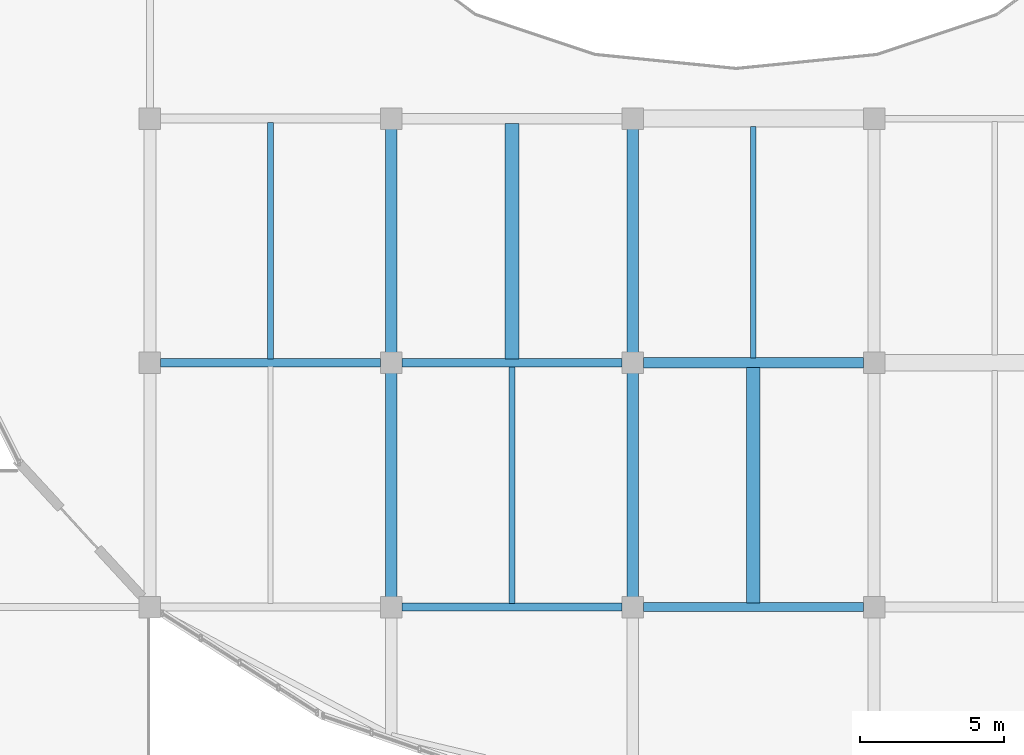
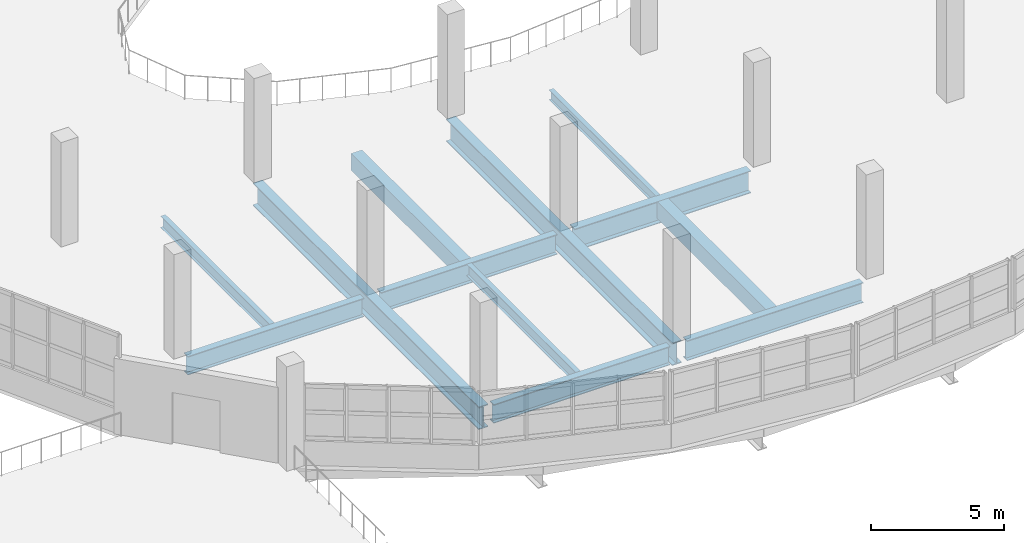
# One storey, part 10 of 77: 12 beams.
"""IFC4 building model written with IfcOpenShell, lengths in metres."""

from ifc_helpers import new_model, si_unit, direction, frame, origin, origin_2d, place, context, subcontext, project, spatial, rectangle, i_section, extrude, material, material_profile, profile_set, type_object, element, save


model = new_model("IFC4")

# Units and contexts
model_context = context("Model", 3, precision=1e-05, world=origin(), true_north=direction((0.0, 1.0)))
body_context = subcontext(model_context, "Body", "Model", "MODEL_VIEW")
ifc_project = project(units=[si_unit("LENGTHUNIT", "METRE"), si_unit("AREAUNIT", "SQUARE_METRE"), si_unit("VOLUMEUNIT", "CUBIC_METRE"), si_unit("PLANEANGLEUNIT", "RADIAN"), si_unit("MASSUNIT", "GRAM", prefix="KILO")], contexts=[model_context])

# Site, building, storey
site_placement = place(None, origin())
site = spatial("IfcSite", under=ifc_project, at=site_placement, CompositionType="ELEMENT")
building_placement = place(site_placement, origin())
building = spatial("IfcBuilding", under=site, at=building_placement, Name="Solvento Point Concert Hall", CompositionType="ELEMENT")
storey_placement = place(building_placement, frame((0.0, 0.0, 10.199951171875)))
storey = spatial("IfcBuildingStorey", under=building, at=storey_placement, Name="L02", CompositionType="ELEMENT", Elevation=10.199951171875)

# Beams
ifc_material_1 = material(Name="Concrete C35/45", Category="concrete")
ifc_material_profile_1 = material_profile(ifc_material_1, rectangle(XDim=0.47998046875, YDim=0.780029296875, at=origin_2d()), Name="RC-BM-480X780")
ifc_profile_set_1 = profile_set([ifc_material_profile_1], Name="Concrete C35/45")
beam_type_1 = type_object("IfcBeamType", Name="Beam_RC_480x780", PredefinedType="BEAM", material=ifc_profile_set_1)
for number, where, z_axis, x_axis, name in (
    (1, (53.39990234375, 25.638671875, -0.6640625), (0.0, 1.0, 0.0), (-1.0, 0.0, 0.0), "Secondary floor joist B-74 L02"),
    (2, (61.800048828125, 17.138671875, -0.6640625), (0.0, 1.0, 0.0), (-1.0, 0.0, 0.0), "Secondary floor joist B-74 L02"),
):
    element("IfcBeam", number, at=place(storey_placement, frame(where, z_axis=z_axis, x_axis=x_axis)), inside=storey, type_object=beam_type_1, Name=name, PredefinedType="BEAM", context=body_context, shape_type="SweptSolid", body=[
        extrude(rectangle(XDim=0.47998046875, YDim=0.780029296875, at=origin_2d()), origin(), (0.0, 0.0, 1.0), 8.19580078125),
    ])
ifc_material_2 = material(Name="Structural Steel ASTM A992 Grade 50", Category="steel")
ifc_material_profile_2 = material_profile(ifc_material_2, i_section(OverallWidth=0.20947265625, OverallDepth=0.532958984375, WebThickness=0.01025390625, FlangeThickness=0.015625, at=origin_2d()), Name="W21X62")
ifc_profile_set_2 = profile_set([ifc_material_profile_2], Name="Structural Steel ASTM A992 Grade 50")
beam_type_2 = type_object("IfcBeamType", Name="Beam_W21X62", PredefinedType="BEAM", material=ifc_profile_set_2)
beam_1_placement = place(storey_placement, frame((45.0, 25.631103515625, -0.54052734375), z_axis=(0.0, 1.0, 0.0), x_axis=(-1.0, 0.0, 0.0)))
element("IfcBeam", 3, at=beam_1_placement, inside=storey, type_object=beam_type_2, Name="Secondary floor joist B-25 L02", PredefinedType="BEAM", context=body_context, shape_type="SweptSolid", body=[
    extrude(i_section(OverallWidth=0.20947265625, OverallDepth=0.532958984375, WebThickness=0.01025390625, FlangeThickness=0.015625, at=origin_2d()), origin(), (0.0, 0.0, 1.0), 8.22998046875),
])
beam_2_placement = place(storey_placement, frame((53.39990234375, 17.131103515625, -0.54052734375), z_axis=(0.0, 1.0, 0.0), x_axis=(-1.0, 0.0, 0.0)))
element("IfcBeam", 4, at=beam_2_placement, inside=storey, type_object=beam_type_2, Name="Secondary floor joist B-25 L02", PredefinedType="BEAM", context=body_context, shape_type="SweptSolid", body=[
    extrude(i_section(OverallWidth=0.20947265625, OverallDepth=0.532958984375, WebThickness=0.01025390625, FlangeThickness=0.015625, at=origin_2d()), origin(), (0.0, 0.0, 1.0), 8.230224609375),
])
ifc_material_3 = material(Name="Structural Steel ASTM A992 Grade 50", Category="steel")
ifc_material_profile_3 = material_profile(ifc_material_3, i_section(OverallWidth=0.408935546875, OverallDepth=1.041015625, WebThickness=0.031005859375, FlangeThickness=0.04443359375, at=origin_2d()), Name="W40X397")
ifc_profile_set_3 = profile_set([ifc_material_profile_3], Name="Structural Steel ASTM A992 Grade 50")
beam_type_3 = type_object("IfcBeamType", Name="CantileverGirder_W40X397", PredefinedType="USERDEFINED", material=ifc_profile_set_3)
for number, where, z_axis, x_axis, name in (
    (5, (49.199951171875, 34.0, -0.79541015625), (0.0, -1.0, 0.0), (1.0, 0.0, 0.0), "Radial back-span girder CG-01 L02"),
    (6, (57.60009765625, 34.0, -0.79541015625), (0.0, -1.0, 0.0), (1.0, 0.0, 0.0), "Radial back-span girder CG-01 L02"),
):
    element("IfcBeam", number, at=place(storey_placement, frame(where, z_axis=z_axis, x_axis=x_axis)), inside=storey, type_object=beam_type_3, Name=name, ObjectType="GIRDER", PredefinedType="USERDEFINED", context=body_context, shape_type="SweptSolid", body=[
        extrude(i_section(OverallWidth=0.408935546875, OverallDepth=1.041015625, WebThickness=0.031005859375, FlangeThickness=0.04443359375, at=origin_2d()), origin(), (0.0, 0.0, 1.0), 17.0),
    ])
ifc_material_4 = material(Name="Structural Steel ASTM A992 Grade 50", Category="steel")
ifc_material_profile_4 = material_profile(ifc_material_4, i_section(OverallWidth=0.2919921875, OverallDepth=0.85888671875, WebThickness=0.01708984375, FlangeThickness=0.031005859375, at=origin_2d()), Name="W33X169")
ifc_profile_set_4 = profile_set([ifc_material_profile_4], Name="Structural Steel ASTM A992 Grade 50")
beam_type_4 = type_object("IfcBeamType", Name="Girder_W33X169", PredefinedType="USERDEFINED", material=ifc_profile_set_4)
beam_3_placement = place(storey_placement, frame((49.569091796875, 17.0, -0.703369140625), z_axis=(1.0, 0.0, 0.0), x_axis=(0.0, 1.0, 0.0)))
element("IfcBeam", 7, at=beam_3_placement, inside=storey, type_object=beam_type_4, Name="Primary girder B-33 L02", ObjectType="GIRDER", PredefinedType="USERDEFINED", context=body_context, shape_type="SweptSolid", body=[
    extrude(i_section(OverallWidth=0.2919921875, OverallDepth=0.85888671875, WebThickness=0.01708984375, FlangeThickness=0.031005859375, at=origin_2d()), origin(), (0.0, 0.0, 1.0), 7.661865234375),
])
beam_4_placement = place(storey_placement, frame((41.1689453125, 25.5, -0.703369140625), z_axis=(1.0, 0.0, 0.0), x_axis=(0.0, 1.0, 0.0)))
element("IfcBeam", 8, at=beam_4_placement, inside=storey, type_object=beam_type_4, Name="Primary girder B-33 L02", ObjectType="GIRDER", PredefinedType="USERDEFINED", context=body_context, shape_type="SweptSolid", body=[
    extrude(i_section(OverallWidth=0.2919921875, OverallDepth=0.85888671875, WebThickness=0.01708984375, FlangeThickness=0.031005859375, at=origin_2d()), origin(), (0.0, 0.0, 1.0), 7.662109375),
])
ifc_material_5 = material(Name="Structural Steel ASTM A992 Grade 50", Category="steel")
ifc_material_profile_5 = material_profile(ifc_material_5, i_section(OverallWidth=0.3076171875, OverallDepth=0.927001953125, WebThickness=0.019287109375, FlangeThickness=0.031982421875, at=origin_2d()), Name="W36X194")
ifc_profile_set_5 = profile_set([ifc_material_profile_5], Name="Structural Steel ASTM A992 Grade 50")
beam_type_5 = type_object("IfcBeamType", Name="Girder_W36X194", PredefinedType="USERDEFINED", material=ifc_profile_set_5)
beam_5_placement = place(storey_placement, frame((57.968994140625, 17.0, -0.737548828125), z_axis=(1.0, 0.0, 0.0), x_axis=(0.0, 1.0, 0.0)))
element("IfcBeam", 9, at=beam_5_placement, inside=storey, type_object=beam_type_5, Name="Primary girder B-61 L02", ObjectType="GIRDER", PredefinedType="USERDEFINED", context=body_context, shape_type="SweptSolid", body=[
    extrude(i_section(OverallWidth=0.3076171875, OverallDepth=0.927001953125, WebThickness=0.019287109375, FlangeThickness=0.031982421875, at=origin_2d()), origin(), (0.0, 0.0, 1.0), 7.662109375),
])
beam_6_placement = place(storey_placement, frame((49.569091796875, 25.5, -0.737548828125), z_axis=(1.0, 0.0, 0.0), x_axis=(0.0, 1.0, 0.0)))
element("IfcBeam", 10, at=beam_6_placement, inside=storey, type_object=beam_type_5, Name="Primary girder B-61 L02", ObjectType="GIRDER", PredefinedType="USERDEFINED", context=body_context, shape_type="SweptSolid", body=[
    extrude(i_section(OverallWidth=0.3076171875, OverallDepth=0.927001953125, WebThickness=0.019287109375, FlangeThickness=0.031982421875, at=origin_2d()), origin(), (0.0, 0.0, 1.0), 7.661865234375),
])
ifc_material_6 = material(Name="Structural Steel ASTM A992 Grade 50", Category="steel")
ifc_material_profile_6 = material_profile(ifc_material_6, i_section(OverallWidth=0.361083984375, OverallDepth=1.02587890625, WebThickness=0.01904296875, FlangeThickness=0.0361328125, at=origin_2d()), Name="W40X249")
ifc_profile_set_6 = profile_set([ifc_material_profile_6], Name="Structural Steel ASTM A992 Grade 50")
beam_type_6 = type_object("IfcBeamType", Name="Girder_W40X249", PredefinedType="USERDEFINED", material=ifc_profile_set_6)
beam_7_placement = place(storey_placement, frame((57.968994140625, 25.5, -0.786865234375), z_axis=(1.0, 0.0, 0.0), x_axis=(0.0, 1.0, 0.0)))
element("IfcBeam", 11, at=beam_7_placement, inside=storey, type_object=beam_type_6, Name="Primary girder B-29 L02", ObjectType="GIRDER", PredefinedType="USERDEFINED", context=body_context, shape_type="SweptSolid", body=[
    extrude(i_section(OverallWidth=0.361083984375, OverallDepth=1.02587890625, WebThickness=0.01904296875, FlangeThickness=0.0361328125, at=origin_2d()), origin(), (0.0, 0.0, 1.0), 7.662109375),
])
ifc_material_7 = material(Name="Structural Steel ASTM A992 Grade 50", Category="steel")
ifc_material_profile_7 = material_profile(ifc_material_7, i_section(OverallWidth=0.1904296875, OverallDepth=0.45703125, WebThickness=0.009033203125, FlangeThickness=0.014404296875, at=origin_2d()), Name="W18X50")
ifc_profile_set_7 = profile_set([ifc_material_profile_7], Name="Structural Steel ASTM A992 Grade 50")
beam_type_7 = type_object("IfcBeamType", Name="Joist_W18X50", PredefinedType="JOIST", material=ifc_profile_set_7)
beam_8_placement = place(storey_placement, frame((61.800048828125, 25.66552734375, -0.50244140625), z_axis=(0.0, 1.0, 0.0), x_axis=(-1.0, 0.0, 0.0)))
element("IfcBeam", 12, at=beam_8_placement, inside=storey, type_object=beam_type_7, Name="Secondary floor joist B-66 L02", PredefinedType="JOIST", context=body_context, shape_type="SweptSolid", body=[
    extrude(i_section(OverallWidth=0.1904296875, OverallDepth=0.45703125, WebThickness=0.009033203125, FlangeThickness=0.014404296875, at=origin_2d()), origin(), (0.0, 0.0, 1.0), 8.0595703125),
])

save(model, "model.ifc")
